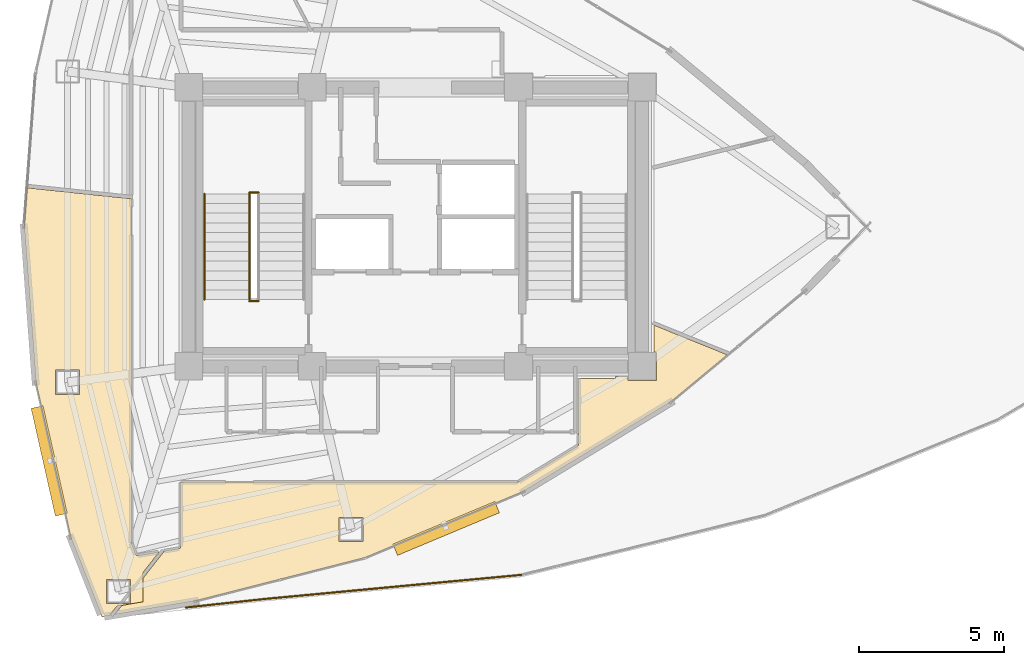
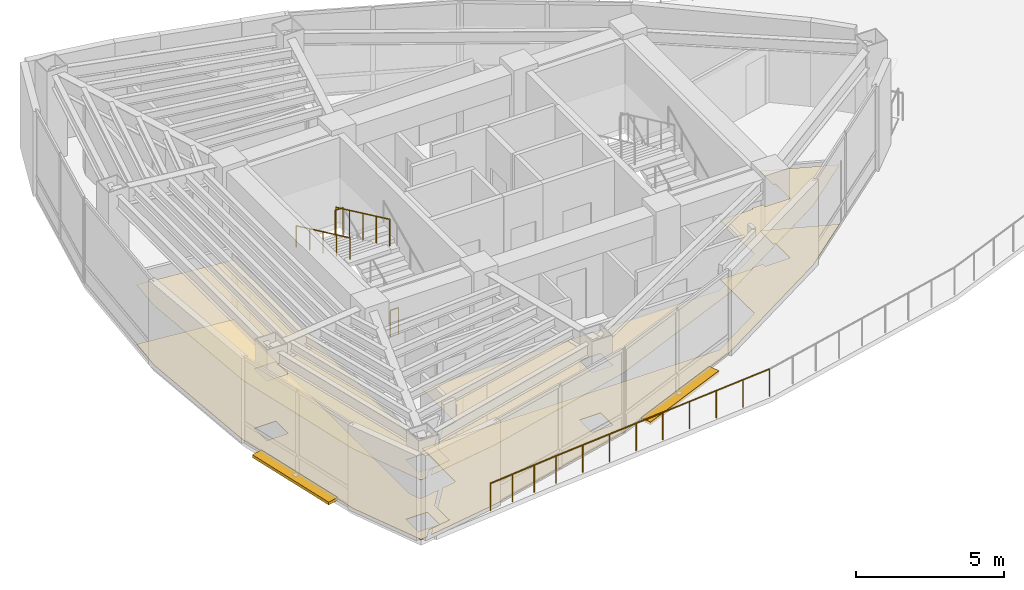
# One storey, part 14 of 16: 6 railings, 4 coverings, 2 shading devices.
"""IFC4 building model written with IfcOpenShell, lengths in metres."""

from ifc_helpers import new_model, si_unit, direction, frame, origin, origin_2d, place, context, subcontext, project, spatial, polyline, rectangle, circle, outline, extrude, material, layer, layer_set, type_object, element, save


model = new_model("IFC4")

# Units and contexts
model_context = context("Model", 3, precision=1e-05, world=origin(), true_north=direction((0.0, 1.0)))
body_context = subcontext(model_context, "Body", "Model", "MODEL_VIEW")
ifc_project = project(units=[si_unit("LENGTHUNIT", "METRE"), si_unit("AREAUNIT", "SQUARE_METRE"), si_unit("VOLUMEUNIT", "CUBIC_METRE"), si_unit("PLANEANGLEUNIT", "RADIAN"), si_unit("MASSUNIT", "GRAM", prefix="KILO")], contexts=[model_context])

# Site, building, storey
site_placement = place(None, origin())
site = spatial("IfcSite", under=ifc_project, at=site_placement, CompositionType="ELEMENT")
building_placement = place(site_placement, origin())
building = spatial("IfcBuilding", under=site, at=building_placement, Name="Menara Vayukalpa", CompositionType="ELEMENT")
storey_placement = place(building_placement, frame((0.0, 0.0, 247.139892578125)))
storey = spatial("IfcBuildingStorey", under=building, at=storey_placement, Name="L62", CompositionType="ELEMENT", Elevation=247.139892578125)

# Coverings
ifc_material_1 = material(Name="Mineral Fibre Acoustic Ceiling Tile", Category="masonry")
ifc_layer_1 = layer(ifc_material_1, 0.02490234375)
ifc_layer_set_1 = layer_set([ifc_layer_1], Name="Mineral Fibre Acoustic Ceiling Tile")
covering_type_1 = type_object("IfcCoveringType", Name="COV-CLG1", PredefinedType="CEILING", material=ifc_layer_set_1)
covering_1_placement = place(storey_placement, frame((0.0, 0.0, 2.4501953125)))
element("IfcCovering", 1, at=covering_1_placement, inside=storey, type_object=covering_type_1, Name="L62 Digital Engineering Lab Acoustic Ceiling", PredefinedType="CEILING", context=body_context, shape_type="SweptSolid", body=[
    extrude(outline(polyline([(15.326416015625, 8.94775390625), (15.10205078125, 8.66064453125), (15.098388671875, 8.65576171875), (15.095703125, 8.650390625), (15.09326171875, 8.645263671875), (15.09130859375, 8.639404296875), (15.0908203125, 8.638427734375), (15.090576171875, 8.637451171875), (15.090087890625, 8.63671875), (15.08935546875, 8.635986328125), (15.088623046875, 8.63525390625), (15.087890625, 8.634521484375), (15.087158203125, 8.634033203125), (15.086181640625, 8.633544921875), (15.08544921875, 8.63330078125), (15.08447265625, 8.6328125), (15.08349609375, 8.632568359375), (14.82861328125, 8.58935546875), (14.827392578125, 8.589111328125), (14.826416015625, 8.589111328125), (14.82568359375, 8.58935546875), (14.82470703125, 8.58935546875), (14.82373046875, 8.589599609375), (14.82275390625, 8.590087890625), (14.822021484375, 8.590576171875), (14.821044921875, 8.591064453125), (14.8203125, 8.591552734375), (14.819580078125, 8.59228515625), (14.81884765625, 8.593017578125), (14.818359375, 8.59375), (14.81787109375, 8.5947265625), (14.8173828125, 8.595458984375), (13.751953125, 11.308837890625), (13.751708984375, 11.309814453125), (13.75146484375, 11.310302734375), (12.549072265625, 16.654052734375), (12.548828125, 16.655517578125), (12.148193359375, 21.999267578125), (12.148193359375, 22.0), (12.148193359375, 22.000732421875), (12.247802734375, 23.33251953125), (12.248046875, 23.33349609375), (12.248291015625, 23.334716796875), (12.24853515625, 23.335693359375), (12.2490234375, 23.33642578125), (12.24951171875, 23.33740234375), (12.25, 23.338134765625), (12.250732421875, 23.3388671875), (12.25146484375, 23.339599609375), (12.252197265625, 23.340087890625), (12.253173828125, 23.3408203125), (12.25390625, 23.341064453125), (12.2548828125, 23.341552734375), (12.256103515625, 23.341796875), (12.2568359375, 23.341796875), (12.2578125, 23.341796875), (12.2587890625, 23.341796875), (15.821044921875, 22.96728515625), (15.822021484375, 22.96728515625), (15.822998046875, 22.967041015625), (15.823974609375, 22.966796875), (15.82470703125, 22.96630859375), (15.82568359375, 22.9658203125), (15.826416015625, 22.965087890625), (15.8271484375, 22.964599609375), (15.82763671875, 22.9638671875), (15.828369140625, 22.962890625), (15.828857421875, 22.962158203125), (15.8291015625, 22.961181640625), (15.82958984375, 22.96044921875), (15.829833984375, 22.95947265625), (15.830078125, 22.95849609375), (15.830078125, 22.95751953125), (15.830078125, 11.146484375), (15.830322265625, 11.1396484375), (15.831298828125, 11.13330078125), (15.832763671875, 11.126708984375), (15.8349609375, 11.12060546875), (15.984619140625, 10.7392578125), (15.987548828125, 10.732666015625), (15.990966796875, 10.726806640625), (15.994873046875, 10.72119140625), (15.999267578125, 10.716064453125), (16.00439453125, 10.71142578125), (16.009765625, 10.707275390625), (16.015625, 10.70361328125), (16.021484375, 10.700439453125), (16.02783203125, 10.697998046875), (16.034423828125, 10.6962890625), (16.041259765625, 10.695068359375), (16.048095703125, 10.694580078125), (16.054931640625, 10.694580078125), (16.06201171875, 10.695556640625), (16.7626953125, 10.814697265625), (16.763671875, 10.814697265625), (16.7646484375, 10.814697265625), (16.765625, 10.814697265625), (16.7666015625, 10.814453125), (16.767578125, 10.814208984375), (16.7685546875, 10.813720703125), (16.76953125, 10.813232421875), (16.770263671875, 10.812744140625), (16.77099609375, 10.81201171875), (16.771728515625, 10.811279296875), (16.7724609375, 10.810791015625), (16.77294921875, 10.809814453125), (16.7734375, 10.808837890625), (16.773681640625, 10.80810546875), (16.774169921875, 10.80712890625), (16.7744140625, 10.80615234375), (16.7744140625, 10.80517578125), (16.7744140625, 10.80419921875), (16.7744140625, 10.802978515625), (16.774169921875, 10.802001953125), (16.773681640625, 10.801025390625), (16.773193359375, 10.80029296875), (16.77294921875, 10.79931640625), (16.772216796875, 10.798583984375), (16.22412109375, 10.096923828125), (16.22412109375, 9.10009765625), (15.326416015625, 8.94775390625)]), holes=[polyline([(14.97412109375, 9.870361328125), (14.97412109375, 9.040283203125), (15.80419921875, 9.040283203125), (15.80419921875, 9.870361328125), (14.97412109375, 9.870361328125)]), polyline([(14.053955078125, 17.068359375), (13.22412109375, 17.068359375), (13.22412109375, 16.23828125), (14.053955078125, 16.23828125), (14.053955078125, 17.068359375)])]), origin(), (0.0, 0.0, 1.0), 0.02490234375),
])
covering_2_placement = place(storey_placement, frame((0.0, 0.0, 2.4501953125)))
element("IfcCovering", 2, at=covering_2_placement, inside=storey, type_object=covering_type_1, Name="L62 Digital Engineering Lab Acoustic Ceiling", PredefinedType="CEILING", context=body_context, shape_type="SweptSolid", body=[
    extrude(outline(polyline([(16.959716796875, 10.84326171875), (16.9609375, 10.84521484375), (16.96142578125, 10.845947265625), (16.962158203125, 10.8466796875), (16.962890625, 10.847412109375), (16.9638671875, 10.847900390625), (16.964599609375, 10.848388671875), (16.965576171875, 10.8486328125), (16.966552734375, 10.84912109375), (16.96728515625, 10.849365234375), (17.471435546875, 10.934814453125), (17.478515625, 10.936279296875), (17.485107421875, 10.938720703125), (17.49169921875, 10.94140625), (17.497802734375, 10.94482421875), (17.50341796875, 10.94921875), (17.5087890625, 10.95361328125), (17.513427734375, 10.958740234375), (17.517822265625, 10.96435546875), (17.521484375, 10.97021484375), (17.5244140625, 10.9765625), (17.52685546875, 10.983154296875), (17.528564453125, 10.989990234375), (17.529541015625, 10.996826171875), (17.530029296875, 11.004150390625), (17.530029296875, 13.2099609375), (17.530029296875, 13.2109375), (17.5302734375, 13.2119140625), (17.530517578125, 13.212890625), (17.53076171875, 13.2138671875), (17.53125, 13.214599609375), (17.53173828125, 13.215576171875), (17.5322265625, 13.21630859375), (17.532958984375, 13.217041015625), (17.53369140625, 13.2177734375), (17.534423828125, 13.21826171875), (17.535400390625, 13.21875), (17.5361328125, 13.21923828125), (17.537109375, 13.219482421875), (17.5380859375, 13.2197265625), (17.5390625, 13.219970703125), (17.5400390625, 13.219970703125), (29.109619140625, 13.219970703125), (29.11669921875, 13.220458984375), (29.12353515625, 13.221435546875), (29.13037109375, 13.22314453125), (29.13720703125, 13.2255859375), (29.153076171875, 13.232177734375), (29.157958984375, 13.234375), (29.16259765625, 13.237060546875), (31.18603515625, 14.46630859375), (31.1923828125, 14.470458984375), (31.19775390625, 14.47509765625), (31.20263671875, 14.480224609375), (31.20703125, 14.48583984375), (31.2109375, 14.491943359375), (31.214111328125, 14.498291015625), (31.216552734375, 14.5048828125), (31.218505859375, 14.511962890625), (31.219482421875, 14.51904296875), (31.219970703125, 14.5263671875), (31.219970703125, 14.849609375), (31.219482421875, 14.856689453125), (31.21875, 14.86376953125), (31.217041015625, 14.870361328125), (31.214599609375, 14.876708984375), (31.2119140625, 14.8828125), (31.211669921875, 14.883056640625), (31.211181640625, 14.8837890625), (31.210693359375, 14.884765625), (31.21044921875, 14.8857421875), (31.210205078125, 14.88671875), (31.2099609375, 14.8876953125), (31.2099609375, 14.888671875), (31.2099609375, 16.780029296875), (31.2099609375, 16.781005859375), (31.210205078125, 16.781982421875), (31.21044921875, 16.782958984375), (31.210693359375, 16.78369140625), (31.211181640625, 16.78466796875), (31.211669921875, 16.78564453125), (31.21240234375, 16.786376953125), (31.212890625, 16.787109375), (31.213623046875, 16.78759765625), (31.21435546875, 16.788330078125), (31.21533203125, 16.788818359375), (31.21630859375, 16.789306640625), (31.217041015625, 16.78955078125), (31.218017578125, 16.789794921875), (31.218994140625, 16.7900390625), (31.219970703125, 16.7900390625), (32.489990234375, 16.7900390625), (32.489990234375, 16.85009765625), (32.909912109375, 16.85009765625), (32.909912109375, 16.7099609375), (33.889892578125, 16.7099609375), (33.889892578125, 17.68994140625), (33.81005859375, 17.68994140625), (33.81005859375, 18.603515625), (33.81005859375, 18.6044921875), (33.810302734375, 18.605224609375), (33.810302734375, 18.606201171875), (33.810791015625, 18.607177734375), (33.811279296875, 18.608154296875), (33.811767578125, 18.60888671875), (33.812255859375, 18.609619140625), (33.81298828125, 18.6103515625), (33.813720703125, 18.611083984375), (33.814453125, 18.61181640625), (33.815185546875, 18.6123046875), (33.816162109375, 18.612548828125), (33.81689453125, 18.613037109375), (33.818115234375, 18.61328125), (33.819091796875, 18.61328125), (33.81982421875, 18.61328125), (33.82080078125, 18.61328125), (33.822021484375, 18.61328125), (33.82275390625, 18.613037109375), (33.82373046875, 18.61279296875), (36.321044921875, 17.603759765625), (36.322021484375, 17.603271484375), (36.322998046875, 17.602783203125), (36.32373046875, 17.602294921875), (36.324462890625, 17.6015625), (36.3251953125, 17.600830078125), (36.32568359375, 17.60009765625), (36.326171875, 17.59912109375), (36.32666015625, 17.598388671875), (36.326904296875, 17.597412109375), (36.3271484375, 17.596435546875), (36.327392578125, 17.595458984375), (36.327392578125, 17.594482421875), (36.327392578125, 17.593505859375), (36.3271484375, 17.592529296875), (36.326904296875, 17.591552734375), (36.32666015625, 17.590576171875), (36.326171875, 17.589599609375), (36.32568359375, 17.5888671875), (36.3251953125, 17.588134765625), (36.324462890625, 17.58740234375), (36.32373046875, 17.586669921875), (34.374755859375, 15.97021484375), (34.37353515625, 15.969482421875), (29.3271484375, 12.904052734375), (29.326416015625, 12.90380859375), (29.32568359375, 12.9033203125), (23.878662109375, 10.624755859375), (23.877197265625, 10.624267578125), (18.028564453125, 9.1328125), (18.027587890625, 9.132568359375), (15.28076171875, 8.666015625), (15.27978515625, 8.666015625), (15.27880859375, 8.666015625), (15.277587890625, 8.666015625), (15.276611328125, 8.666259765625), (15.275634765625, 8.66650390625), (15.27490234375, 8.6669921875), (15.27392578125, 8.66748046875), (15.273193359375, 8.66796875), (15.272216796875, 8.668701171875), (15.271484375, 8.669189453125), (15.27099609375, 8.669921875), (15.2705078125, 8.6708984375), (15.27001953125, 8.671875), (15.26953125, 8.672607421875), (15.269287109375, 8.673583984375), (15.26904296875, 8.674560546875), (15.26904296875, 8.675537109375), (15.26904296875, 8.676513671875), (15.26904296875, 8.677490234375), (15.269287109375, 8.6787109375), (15.269775390625, 8.6796875), (15.27001953125, 8.680419921875), (15.2705078125, 8.681396484375), (15.27099609375, 8.68212890625), (15.501953125, 8.9775390625), (14.99169921875, 8.890869140625), (14.55419921875, 10.0048828125), (14.55419921875, 10.290283203125), (16.22412109375, 10.290283203125), (16.22412109375, 9.90185546875), (16.959716796875, 10.84326171875)]), holes=[polyline([(14.97412109375, 9.870361328125), (14.97412109375, 9.040283203125), (15.80419921875, 9.040283203125), (15.80419921875, 9.870361328125), (14.97412109375, 9.870361328125)]), polyline([(23.796875, 12.01025390625), (22.966796875, 12.01025390625), (22.966796875, 11.18017578125), (23.796875, 11.18017578125), (23.796875, 12.01025390625)])]), origin(), (0.0, 0.0, 1.0), 0.02490234375),
])
ifc_material_2 = material(Name="Porcelain Stoneware Floor Tile", Category="masonry")
ifc_layer_2 = layer(ifc_material_2, 0.02001953125)
ifc_layer_set_2 = layer_set([ifc_layer_2], Name="Porcelain Stoneware Floor Tile")
covering_type_2 = type_object("IfcCoveringType", Name="COV-FLR1", PredefinedType="FLOORING", material=ifc_layer_set_2)
covering_3_placement = place(storey_placement, origin())
element("IfcCovering", 3, at=covering_3_placement, inside=storey, type_object=covering_type_2, Name="L62 Digital Engineering Lab Porcelain Flooring", PredefinedType="FLOORING", context=body_context, shape_type="SweptSolid", body=[
    extrude(outline(polyline([(15.326416015625, 8.94775390625), (15.10205078125, 8.66064453125), (15.098388671875, 8.65576171875), (15.095703125, 8.650390625), (15.09326171875, 8.645263671875), (15.09130859375, 8.639404296875), (15.0908203125, 8.638427734375), (15.090576171875, 8.637451171875), (15.090087890625, 8.63671875), (15.08935546875, 8.635986328125), (15.088623046875, 8.63525390625), (15.087890625, 8.634521484375), (15.087158203125, 8.634033203125), (15.086181640625, 8.633544921875), (15.08544921875, 8.63330078125), (15.08447265625, 8.6328125), (15.08349609375, 8.632568359375), (14.82861328125, 8.58935546875), (14.827392578125, 8.589111328125), (14.826416015625, 8.589111328125), (14.82568359375, 8.58935546875), (14.82470703125, 8.58935546875), (14.82373046875, 8.589599609375), (14.82275390625, 8.590087890625), (14.822021484375, 8.590576171875), (14.821044921875, 8.591064453125), (14.8203125, 8.591552734375), (14.819580078125, 8.59228515625), (14.81884765625, 8.593017578125), (14.818359375, 8.59375), (14.81787109375, 8.5947265625), (14.8173828125, 8.595458984375), (13.751953125, 11.308837890625), (13.751708984375, 11.309814453125), (13.75146484375, 11.310302734375), (12.549072265625, 16.654052734375), (12.548828125, 16.655517578125), (12.148193359375, 21.999267578125), (12.148193359375, 22.0), (12.148193359375, 22.000732421875), (12.247802734375, 23.33251953125), (12.248046875, 23.33349609375), (12.248291015625, 23.334716796875), (12.24853515625, 23.335693359375), (12.2490234375, 23.33642578125), (12.24951171875, 23.33740234375), (12.25, 23.338134765625), (12.250732421875, 23.3388671875), (12.25146484375, 23.339599609375), (12.252197265625, 23.340087890625), (12.253173828125, 23.3408203125), (12.25390625, 23.341064453125), (12.2548828125, 23.341552734375), (12.256103515625, 23.341796875), (12.2568359375, 23.341796875), (12.2578125, 23.341796875), (12.2587890625, 23.341796875), (15.821044921875, 22.96728515625), (15.822021484375, 22.96728515625), (15.822998046875, 22.967041015625), (15.823974609375, 22.966796875), (15.82470703125, 22.96630859375), (15.82568359375, 22.9658203125), (15.826416015625, 22.965087890625), (15.8271484375, 22.964599609375), (15.82763671875, 22.9638671875), (15.828369140625, 22.962890625), (15.828857421875, 22.962158203125), (15.8291015625, 22.961181640625), (15.82958984375, 22.96044921875), (15.829833984375, 22.95947265625), (15.830078125, 22.95849609375), (15.830078125, 22.95751953125), (15.830078125, 11.146484375), (15.830322265625, 11.1396484375), (15.831298828125, 11.13330078125), (15.832763671875, 11.126708984375), (15.8349609375, 11.12060546875), (15.984619140625, 10.7392578125), (15.987548828125, 10.732666015625), (15.990966796875, 10.726806640625), (15.994873046875, 10.72119140625), (15.999267578125, 10.716064453125), (16.00439453125, 10.71142578125), (16.009765625, 10.707275390625), (16.015625, 10.70361328125), (16.021484375, 10.700439453125), (16.02783203125, 10.697998046875), (16.034423828125, 10.6962890625), (16.041259765625, 10.695068359375), (16.048095703125, 10.694580078125), (16.054931640625, 10.694580078125), (16.06201171875, 10.695556640625), (16.7626953125, 10.814697265625), (16.763671875, 10.814697265625), (16.7646484375, 10.814697265625), (16.765625, 10.814697265625), (16.7666015625, 10.814453125), (16.767578125, 10.814208984375), (16.7685546875, 10.813720703125), (16.76953125, 10.813232421875), (16.770263671875, 10.812744140625), (16.77099609375, 10.81201171875), (16.771728515625, 10.811279296875), (16.7724609375, 10.810791015625), (16.77294921875, 10.809814453125), (16.7734375, 10.808837890625), (16.773681640625, 10.80810546875), (16.774169921875, 10.80712890625), (16.7744140625, 10.80615234375), (16.7744140625, 10.80517578125), (16.7744140625, 10.80419921875), (16.7744140625, 10.802978515625), (16.774169921875, 10.802001953125), (16.773681640625, 10.801025390625), (16.773193359375, 10.80029296875), (16.77294921875, 10.79931640625), (16.772216796875, 10.798583984375), (16.22412109375, 10.096923828125), (16.22412109375, 9.10009765625), (15.326416015625, 8.94775390625)]), holes=[polyline([(14.97412109375, 9.870361328125), (14.97412109375, 9.040283203125), (15.80419921875, 9.040283203125), (15.80419921875, 9.870361328125), (14.97412109375, 9.870361328125)]), polyline([(14.053955078125, 17.068359375), (13.22412109375, 17.068359375), (13.22412109375, 16.23828125), (14.053955078125, 16.23828125), (14.053955078125, 17.068359375)])]), origin(), (0.0, 0.0, 1.0), 0.02001953125),
])
covering_4_placement = place(storey_placement, origin())
element("IfcCovering", 4, at=covering_4_placement, inside=storey, type_object=covering_type_2, Name="L62 Digital Engineering Lab Porcelain Flooring", PredefinedType="FLOORING", context=body_context, shape_type="SweptSolid", body=[
    extrude(outline(polyline([(16.959716796875, 10.84326171875), (16.9609375, 10.84521484375), (16.96142578125, 10.845947265625), (16.962158203125, 10.8466796875), (16.962890625, 10.847412109375), (16.9638671875, 10.847900390625), (16.964599609375, 10.848388671875), (16.965576171875, 10.8486328125), (16.966552734375, 10.84912109375), (16.96728515625, 10.849365234375), (17.471435546875, 10.934814453125), (17.478515625, 10.936279296875), (17.485107421875, 10.938720703125), (17.49169921875, 10.94140625), (17.497802734375, 10.94482421875), (17.50341796875, 10.94921875), (17.5087890625, 10.95361328125), (17.513427734375, 10.958740234375), (17.517822265625, 10.96435546875), (17.521484375, 10.97021484375), (17.5244140625, 10.9765625), (17.52685546875, 10.983154296875), (17.528564453125, 10.989990234375), (17.529541015625, 10.996826171875), (17.530029296875, 11.004150390625), (17.530029296875, 13.2099609375), (17.530029296875, 13.2109375), (17.5302734375, 13.2119140625), (17.530517578125, 13.212890625), (17.53076171875, 13.2138671875), (17.53125, 13.214599609375), (17.53173828125, 13.215576171875), (17.5322265625, 13.21630859375), (17.532958984375, 13.217041015625), (17.53369140625, 13.2177734375), (17.534423828125, 13.21826171875), (17.535400390625, 13.21875), (17.5361328125, 13.21923828125), (17.537109375, 13.219482421875), (17.5380859375, 13.2197265625), (17.5390625, 13.219970703125), (17.5400390625, 13.219970703125), (29.109619140625, 13.219970703125), (29.11669921875, 13.220458984375), (29.12353515625, 13.221435546875), (29.13037109375, 13.22314453125), (29.13720703125, 13.2255859375), (29.153076171875, 13.232177734375), (29.157958984375, 13.234375), (29.16259765625, 13.237060546875), (31.18603515625, 14.46630859375), (31.1923828125, 14.470458984375), (31.19775390625, 14.47509765625), (31.20263671875, 14.480224609375), (31.20703125, 14.48583984375), (31.2109375, 14.491943359375), (31.214111328125, 14.498291015625), (31.216552734375, 14.5048828125), (31.218505859375, 14.511962890625), (31.219482421875, 14.51904296875), (31.219970703125, 14.5263671875), (31.219970703125, 14.849609375), (31.219482421875, 14.856689453125), (31.21875, 14.86376953125), (31.217041015625, 14.870361328125), (31.214599609375, 14.876708984375), (31.2119140625, 14.8828125), (31.211669921875, 14.883056640625), (31.211181640625, 14.8837890625), (31.210693359375, 14.884765625), (31.21044921875, 14.8857421875), (31.210205078125, 14.88671875), (31.2099609375, 14.8876953125), (31.2099609375, 14.888671875), (31.2099609375, 16.780029296875), (31.2099609375, 16.781005859375), (31.210205078125, 16.781982421875), (31.21044921875, 16.782958984375), (31.210693359375, 16.78369140625), (31.211181640625, 16.78466796875), (31.211669921875, 16.78564453125), (31.21240234375, 16.786376953125), (31.212890625, 16.787109375), (31.213623046875, 16.78759765625), (31.21435546875, 16.788330078125), (31.21533203125, 16.788818359375), (31.21630859375, 16.789306640625), (31.217041015625, 16.78955078125), (31.218017578125, 16.789794921875), (31.218994140625, 16.7900390625), (31.219970703125, 16.7900390625), (32.489990234375, 16.7900390625), (32.489990234375, 16.85009765625), (32.909912109375, 16.85009765625), (32.909912109375, 16.7099609375), (33.889892578125, 16.7099609375), (33.889892578125, 17.68994140625), (33.81005859375, 17.68994140625), (33.81005859375, 18.603515625), (33.81005859375, 18.6044921875), (33.810302734375, 18.605224609375), (33.810302734375, 18.606201171875), (33.810791015625, 18.607177734375), (33.811279296875, 18.608154296875), (33.811767578125, 18.60888671875), (33.812255859375, 18.609619140625), (33.81298828125, 18.6103515625), (33.813720703125, 18.611083984375), (33.814453125, 18.61181640625), (33.815185546875, 18.6123046875), (33.816162109375, 18.612548828125), (33.81689453125, 18.613037109375), (33.818115234375, 18.61328125), (33.819091796875, 18.61328125), (33.81982421875, 18.61328125), (33.82080078125, 18.61328125), (33.822021484375, 18.61328125), (33.82275390625, 18.613037109375), (33.82373046875, 18.61279296875), (36.321044921875, 17.603759765625), (36.322021484375, 17.603271484375), (36.322998046875, 17.602783203125), (36.32373046875, 17.602294921875), (36.324462890625, 17.6015625), (36.3251953125, 17.600830078125), (36.32568359375, 17.60009765625), (36.326171875, 17.59912109375), (36.32666015625, 17.598388671875), (36.326904296875, 17.597412109375), (36.3271484375, 17.596435546875), (36.327392578125, 17.595458984375), (36.327392578125, 17.594482421875), (36.327392578125, 17.593505859375), (36.3271484375, 17.592529296875), (36.326904296875, 17.591552734375), (36.32666015625, 17.590576171875), (36.326171875, 17.589599609375), (36.32568359375, 17.5888671875), (36.3251953125, 17.588134765625), (36.324462890625, 17.58740234375), (36.32373046875, 17.586669921875), (34.374755859375, 15.97021484375), (34.37353515625, 15.969482421875), (29.3271484375, 12.904052734375), (29.326416015625, 12.90380859375), (29.32568359375, 12.9033203125), (23.878662109375, 10.624755859375), (23.877197265625, 10.624267578125), (18.028564453125, 9.1328125), (18.027587890625, 9.132568359375), (15.28076171875, 8.666015625), (15.27978515625, 8.666015625), (15.27880859375, 8.666015625), (15.277587890625, 8.666015625), (15.276611328125, 8.666259765625), (15.275634765625, 8.66650390625), (15.27490234375, 8.6669921875), (15.27392578125, 8.66748046875), (15.273193359375, 8.66796875), (15.272216796875, 8.668701171875), (15.271484375, 8.669189453125), (15.27099609375, 8.669921875), (15.2705078125, 8.6708984375), (15.27001953125, 8.671875), (15.26953125, 8.672607421875), (15.269287109375, 8.673583984375), (15.26904296875, 8.674560546875), (15.26904296875, 8.675537109375), (15.26904296875, 8.676513671875), (15.26904296875, 8.677490234375), (15.269287109375, 8.6787109375), (15.269775390625, 8.6796875), (15.27001953125, 8.680419921875), (15.2705078125, 8.681396484375), (15.27099609375, 8.68212890625), (15.501953125, 8.9775390625), (14.99169921875, 8.890869140625), (14.55419921875, 10.0048828125), (14.55419921875, 10.290283203125), (16.22412109375, 10.290283203125), (16.22412109375, 9.90185546875), (16.959716796875, 10.84326171875)]), holes=[polyline([(14.97412109375, 9.870361328125), (14.97412109375, 9.040283203125), (15.80419921875, 9.040283203125), (15.80419921875, 9.870361328125), (14.97412109375, 9.870361328125)]), polyline([(23.796875, 12.01025390625), (22.966796875, 12.01025390625), (22.966796875, 11.18017578125), (23.796875, 11.18017578125), (23.796875, 12.01025390625)])]), origin(), (0.0, 0.0, 1.0), 0.02001953125),
])

# Railings
ifc_material_3 = material(Name="Laminated Glass and Stainless Steel 316 Guardrail", Category="steel")
railing_type_1 = type_object("IfcRailingType", Name="RLG-EXT115", PredefinedType="GUARDRAIL", material=ifc_material_3)
railing_1_placement = place(storey_placement, frame((29.2373046875, 10.029296875, 0.0)))
element("IfcRailing", 5, at=railing_1_placement, inside=storey, type_object=railing_type_1, Name="L62 Sky Terrace Perimeter Guardrail 11", PredefinedType="GUARDRAIL", context=body_context, shape_type="SweptSolid", body=[
    extrude(circle(Radius=0.02392578125, at=origin_2d()), frame((0.0, 0.0, 1.1259765625), z_axis=(-0.995614470945, -0.093551190509, 0.0), x_axis=(0.093551190509, -0.995614470945, 0.0)), (0.0, 0.0, 1.0), 8.839111328125),
    extrude(circle(Radius=0.02099609375, at=origin_2d()), origin(), (0.0, 0.0, 1.0), 1.101806640625),
    extrude(circle(Radius=0.02099609375, at=origin_2d()), frame((-1.10009765625, -0.103271484375, 0.0)), (0.0, 0.0, 1.0), 1.101806640625),
    extrude(circle(Radius=0.02099609375, at=origin_2d()), frame((-2.2001953125, -0.206787109375, 0.0)), (0.0, 0.0, 1.0), 1.101806640625),
    extrude(circle(Radius=0.02099609375, at=origin_2d()), frame((-3.300048828125, -0.31005859375, 0.0)), (0.0, 0.0, 1.0), 1.101806640625),
    extrude(circle(Radius=0.02099609375, at=origin_2d()), frame((-4.400146484375, -0.41357421875, 0.0)), (0.0, 0.0, 1.0), 1.101806640625),
    extrude(circle(Radius=0.02099609375, at=origin_2d()), frame((-5.500244140625, -0.516845703125, 0.0)), (0.0, 0.0, 1.0), 1.101806640625),
    extrude(circle(Radius=0.02099609375, at=origin_2d()), frame((-6.60009765625, -0.6201171875, 0.0)), (0.0, 0.0, 1.0), 1.101806640625),
    extrude(circle(Radius=0.02099609375, at=origin_2d()), frame((-7.7001953125, -0.7236328125, 0.0)), (0.0, 0.0, 1.0), 1.101806640625),
    extrude(circle(Radius=0.02099609375, at=origin_2d()), frame((-8.80029296875, -0.826904296875, 0.0)), (0.0, 0.0, 1.0), 1.101806640625),
])
railing_2_placement = place(storey_placement, frame((20.435791015625, 9.202392578125, 0.0)))
element("IfcRailing", 6, at=railing_2_placement, inside=storey, type_object=railing_type_1, Name="L62 Sky Terrace Perimeter Guardrail 12", PredefinedType="GUARDRAIL", context=body_context, shape_type="SweptSolid", body=[
    extrude(circle(Radius=0.02392578125, at=origin_2d()), frame((0.0, 0.0, 1.1259765625), z_axis=(-0.994151328146, -0.10799600338, 0.0), x_axis=(0.10799600338, -0.994151328146, 0.0)), (0.0, 0.0, 1.0), 2.739990234375),
    extrude(circle(Radius=0.02099609375, at=origin_2d()), origin(), (0.0, 0.0, 1.0), 1.101806640625),
    extrude(circle(Radius=0.02099609375, at=origin_2d()), frame((-0.907958984375, -0.0986328125, 0.0)), (0.0, 0.0, 1.0), 1.101806640625),
    extrude(circle(Radius=0.02099609375, at=origin_2d()), frame((-1.81591796875, -0.197265625, 0.0)), (0.0, 0.0, 1.0), 1.101806640625),
    extrude(circle(Radius=0.02099609375, at=origin_2d()), frame((-2.723876953125, -0.2958984375, 0.0)), (0.0, 0.0, 1.0), 1.101806640625),
])
ifc_material_4 = material(Name="Powder-Coated Galvanised Steel Guardrail", Category="steel")
railing_type_2 = type_object("IfcRailingType", Name="RLG-STG110", PredefinedType="GUARDRAIL", material=ifc_material_4)
railing_3_placement = place(storey_placement, frame((20.2099609375, 23.179931640625, 1.860107421875)))
element("IfcRailing", 7, at=railing_3_placement, inside=storey, type_object=railing_type_2, Name="L62 ST-1 stair guard 2", PredefinedType="GUARDRAIL", context=body_context, shape_type="SweptSolid", body=[
    extrude(circle(Radius=0.02392578125, at=origin_2d()), frame((0.0, 0.0, 1.09619140625), z_axis=(-1.0, 0.0, 0.0), x_axis=(0.0, -1.0, 0.0)), (0.0, 0.0, 1.0), 0.320068359375),
    extrude(circle(Radius=0.02099609375, at=origin_2d()), origin(), (0.0, 0.0, 1.0), 1.072021484375),
    extrude(circle(Radius=0.02099609375, at=origin_2d()), frame((-0.320068359375, 0.0, 0.0)), (0.0, 0.0, 1.0), 1.072021484375),
])
railing_4_placement = place(storey_placement, frame((19.89990234375, 23.1298828125, 2.01513671875)))
element("IfcRailing", 8, at=railing_4_placement, inside=storey, type_object=railing_type_2, Name="L62 ST-1 stair guard 3", PredefinedType="GUARDRAIL", context=body_context, shape_type="SweptSolid", body=[
    extrude(circle(Radius=0.02392578125, at=origin_2d()), frame((0.0, 0.0, 1.09619140625), z_axis=(0.0, -0.90511648382, 0.425163675209), x_axis=(1.0, 0.0, 0.0)), (0.0, 0.0, 1.0), 4.010498046875),
    extrude(circle(Radius=0.02099609375, at=origin_2d()), origin(), (0.0, 0.0, 1.0), 1.072021484375),
    extrude(circle(Radius=0.02099609375, at=origin_2d()), frame((0.0, -0.907470703125, 0.42626953125)), (0.0, 0.0, 1.0), 1.072021484375),
    extrude(circle(Radius=0.02099609375, at=origin_2d()), frame((0.0, -1.81494140625, 0.8525390625)), (0.0, 0.0, 1.0), 1.072021484375),
    extrude(circle(Radius=0.02099609375, at=origin_2d()), frame((0.0, -2.722412109375, 1.27880859375)), (0.0, 0.0, 1.0), 1.072021484375),
    extrude(circle(Radius=0.02099609375, at=origin_2d()), frame((0.0, -3.6298828125, 1.705078125)), (0.0, 0.0, 1.0), 1.072021484375),
])
railing_5_placement = place(storey_placement, frame((20.2099609375, 19.449951171875, 0.0)))
element("IfcRailing", 9, at=railing_5_placement, inside=storey, type_object=railing_type_2, Name="L62 ST-1 stair guard 4", PredefinedType="GUARDRAIL", context=body_context, shape_type="SweptSolid", body=[
    extrude(circle(Radius=0.02392578125, at=origin_2d()), frame((0.0, 0.0, 1.09619140625), z_axis=(-1.0, 0.0, 0.0), x_axis=(0.0, -1.0, 0.0)), (0.0, 0.0, 1.0), 0.320068359375),
    extrude(circle(Radius=0.02099609375, at=origin_2d()), origin(), (0.0, 0.0, 1.0), 1.072021484375),
    extrude(circle(Radius=0.02099609375, at=origin_2d()), frame((-0.320068359375, 0.0, 0.0)), (0.0, 0.0, 1.0), 1.072021484375),
])
ifc_material_5 = material(Name="Stainless Steel 316 Tubular Handrail", Category="steel")
railing_type_3 = type_object("IfcRailingType", Name="RLG-STH090", PredefinedType="HANDRAIL", material=ifc_material_5)
railing_6_placement = place(storey_placement, frame((18.35009765625, 23.1298828125, 2.01513671875)))
element("IfcRailing", 10, at=railing_6_placement, inside=storey, type_object=railing_type_3, Name="L62 ST-1 stair handrail 2", PredefinedType="HANDRAIL", context=body_context, shape_type="SweptSolid", body=[
    extrude(circle(Radius=0.02392578125, at=origin_2d()), frame((0.0, 0.0, 0.8759765625), z_axis=(0.0, -0.90511648382, 0.425163675209), x_axis=(1.0, 0.0, 0.0)), (0.0, 0.0, 1.0), 4.010498046875),
    extrude(circle(Radius=0.02099609375, at=origin_2d()), origin(), (0.0, 0.0, 1.0), 0.851806640625),
    extrude(circle(Radius=0.02099609375, at=origin_2d()), frame((0.0, -0.907470703125, 0.42626953125)), (0.0, 0.0, 1.0), 0.851806640625),
    extrude(circle(Radius=0.02099609375, at=origin_2d()), frame((0.0, -1.81494140625, 0.8525390625)), (0.0, 0.0, 1.0), 0.851806640625),
    extrude(circle(Radius=0.02099609375, at=origin_2d()), frame((0.0, -2.722412109375, 1.27880859375)), (0.0, 0.0, 1.0), 0.851806640625),
    extrude(circle(Radius=0.02099609375, at=origin_2d()), frame((0.0, -3.6298828125, 1.705078125)), (0.0, 0.0, 1.0), 0.851806640625),
])

# Shading devices
ifc_material_6 = material(Name="Glazed Terracotta Ceramic Baguette Extrusion", Category="masonry")
ifc_layer_3 = layer(ifc_material_6, 0.1201171875)
ifc_layer_set_3 = layer_set([ifc_layer_3], Name="Glazed Terracotta Ceramic Baguette Extrusion")
shading_device_type = type_object("IfcShadingDeviceType", Name="SHD-SS1", PredefinedType="USERDEFINED", material=ifc_layer_set_3)
for number, where, z_axis, x_axis, name in (
    (11, (13.00390625, 13.94921875, -0.099853515625), (0.0, 0.0, 1.0), (0.219522692765, -0.975607394068, 0.0), "L62 Horizontal Terracotta Sunshade Band 13"),
    (12, (26.66015625, 11.625732421875, -0.099853515625), (0.0, 0.0, 1.0), (0.922538089456, 0.385906042324, 0.0), "L62 Horizontal Terracotta Sunshade Band 17"),
):
    element("IfcShadingDevice", number, at=place(storey_placement, frame(where, z_axis=z_axis, x_axis=x_axis)), inside=storey, type_object=shading_device_type, Name=name, ObjectType="SUNSHADE", PredefinedType="USERDEFINED", context=body_context, shape_type="SweptSolid", body=[
        extrude(rectangle(XDim=3.800048828125, YDim=0.419921875, at=origin_2d()), origin(), (0.0, 0.0, 1.0), 0.1201171875),
    ])

save(model, "model.ifc")
